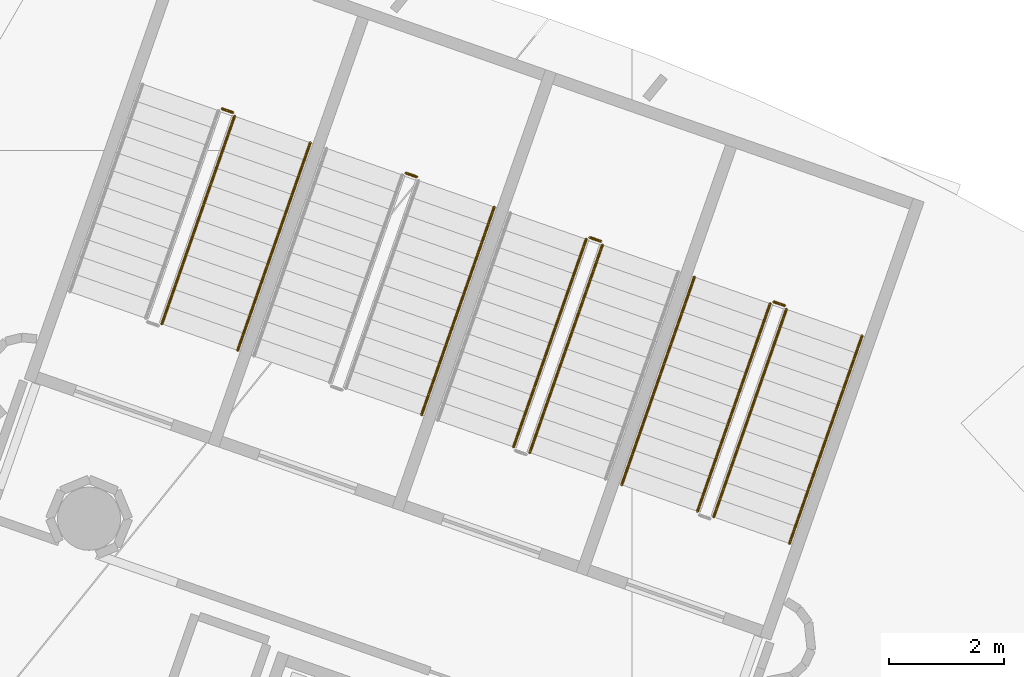
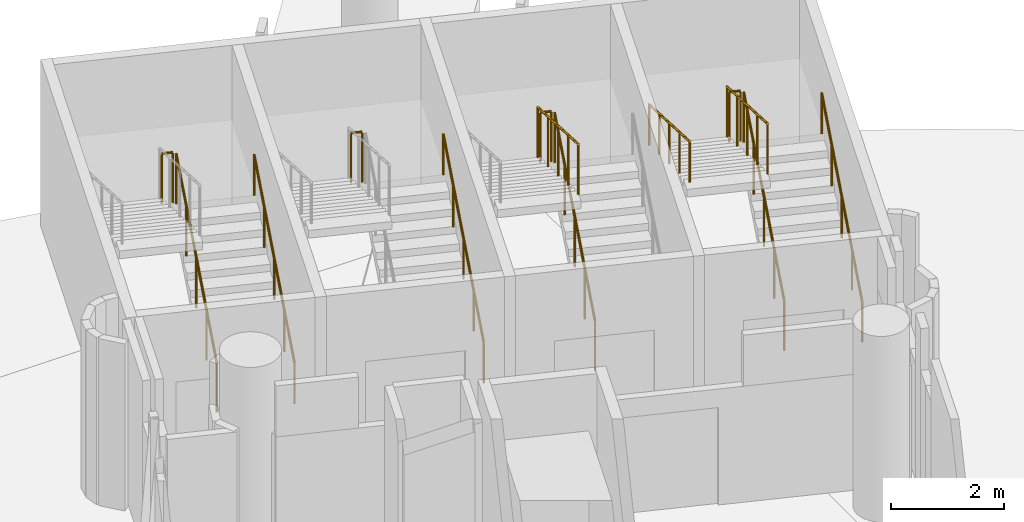
# One storey, part 141 of 142: 13 railings.
"""IFC4 building model written with IfcOpenShell, lengths in metres."""

from ifc_helpers import new_model, si_unit, direction, frame, origin, origin_2d, place, context, subcontext, project, spatial, circle, extrude, material, type_object, element, save


model = new_model("IFC4")

# Units and contexts
model_context = context("Model", 3, precision=1e-05, world=origin(), true_north=direction((0.0, 1.0)))
body_context = subcontext(model_context, "Body", "Model", "MODEL_VIEW")
ifc_project = project(units=[si_unit("LENGTHUNIT", "METRE"), si_unit("AREAUNIT", "SQUARE_METRE"), si_unit("VOLUMEUNIT", "CUBIC_METRE"), si_unit("PLANEANGLEUNIT", "RADIAN"), si_unit("MASSUNIT", "GRAM", prefix="KILO")], contexts=[model_context])

# Site, building, storey
site_placement = place(None, origin())
site = spatial("IfcSite", under=ifc_project, at=site_placement, CompositionType="ELEMENT")
building_placement = place(site_placement, origin())
building = spatial("IfcBuilding", under=site, at=building_placement, Name="Meseta Stadium", CompositionType="ELEMENT")
storey_placement = place(building_placement, frame((0.0, 0.0, -4.0)))
storey = spatial("IfcBuildingStorey", under=building, at=storey_placement, Name="B1", CompositionType="ELEMENT", Elevation=-4.0)

# Railings
ifc_material_1 = material(Name="Steel S355", Category="steel")
railing_type_1 = type_object("IfcRailingType", Name="Stair guard 1100", PredefinedType="GUARDRAIL", material=ifc_material_1)
railing_1_placement = place(storey_placement, frame((65.421630859375, 89.608154296875, 0.15380859375)))
element("IfcRailing", 1, at=railing_1_placement, inside=storey, type_object=railing_type_1, Name="ST29 B1 guard 1", PredefinedType="GUARDRAIL", context=body_context, shape_type="SweptSolid", body=[
    extrude(circle(Radius=0.02392578125, at=origin_2d()), frame((0.0, 0.0, 1.076171875), z_axis=(0.29767201574, 0.85067155836, 0.433300439467), x_axis=(-0.9438801606, 0.330288120323, 0.0)), (0.0, 0.0, 1.0), 4.2607421875),
    extrude(circle(Radius=0.02099609375, at=origin_2d()), origin(), (0.0, 0.0, 1.0), 1.052001953125),
    extrude(circle(Radius=0.02099609375, at=origin_2d()), frame((0.317138671875, 0.90625, 0.46142578125)), (0.0, 0.0, 1.0), 1.052001953125),
    extrude(circle(Radius=0.02099609375, at=origin_2d()), frame((0.63427734375, 1.812255859375, 0.923095703125)), (0.0, 0.0, 1.0), 1.052001953125),
    extrude(circle(Radius=0.02099609375, at=origin_2d()), frame((0.951171875, 2.71826171875, 1.384765625)), (0.0, 0.0, 1.0), 1.052001953125),
    extrude(circle(Radius=0.02099609375, at=origin_2d()), frame((1.268310546875, 3.62451171875, 1.84619140625)), (0.0, 0.0, 1.0), 1.052001953125),
])
railing_2_placement = place(storey_placement, frame((66.6591796875, 93.29638671875, 2.0)))
element("IfcRailing", 2, at=railing_2_placement, inside=storey, type_object=railing_type_1, Name="ST29 B1 guard 2", PredefinedType="GUARDRAIL", context=body_context, shape_type="SweptSolid", body=[
    extrude(circle(Radius=0.02392578125, at=origin_2d()), frame((0.0, 0.0, 1.076171875), z_axis=(-0.944067610699, 0.329751946816, 0.0), x_axis=(-0.329751946816, -0.944067610699, 0.0)), (0.0, 0.0, 1.0), 0.199951171875),
    extrude(circle(Radius=0.02099609375, at=origin_2d()), origin(), (0.0, 0.0, 1.0), 1.052001953125),
    extrude(circle(Radius=0.02099609375, at=origin_2d()), frame((-0.188720703125, 0.06591796875, 0.0)), (0.0, 0.0, 1.0), 1.052001953125),
])
railing_3_placement = place(storey_placement, frame((66.40673828125, 93.331787109375, 2.15380859375)))
element("IfcRailing", 3, at=railing_3_placement, inside=storey, type_object=railing_type_1, Name="ST29 B1 guard 3", PredefinedType="GUARDRAIL", context=body_context, shape_type="SweptSolid", body=[
    extrude(circle(Radius=0.02392578125, at=origin_2d()), frame((0.0, 0.0, 1.076171875), z_axis=(-0.29767201574, -0.85067155836, 0.433300439467), x_axis=(0.9438801606, -0.330288120323, 0.0)), (0.0, 0.0, 1.0), 4.2607421875),
    extrude(circle(Radius=0.02099609375, at=origin_2d()), origin(), (0.0, 0.0, 1.0), 1.052001953125),
    extrude(circle(Radius=0.02099609375, at=origin_2d()), frame((-0.317138671875, -0.90625, 0.46142578125)), (0.0, 0.0, 1.0), 1.052001953125),
    extrude(circle(Radius=0.02099609375, at=origin_2d()), frame((-0.63427734375, -1.812255859375, 0.923095703125)), (0.0, 0.0, 1.0), 1.052001953125),
    extrude(circle(Radius=0.02099609375, at=origin_2d()), frame((-0.951171875, -2.71826171875, 1.384765625)), (0.0, 0.0, 1.0), 1.052001953125),
    extrude(circle(Radius=0.02099609375, at=origin_2d()), frame((-1.268310546875, -3.62451171875, 1.84619140625)), (0.0, 0.0, 1.0), 1.052001953125),
])
railing_4_placement = place(storey_placement, frame((62.21240234375, 90.73095703125, 0.15380859375)))
element("IfcRailing", 4, at=railing_4_placement, inside=storey, type_object=railing_type_1, Name="ST30 B1 guard 1", PredefinedType="GUARDRAIL", context=body_context, shape_type="SweptSolid", body=[
    extrude(circle(Radius=0.02392578125, at=origin_2d()), frame((0.0, 0.0, 1.076171875), z_axis=(0.29767201574, 0.85067155836, 0.433300439467), x_axis=(-0.9438801606, 0.330288120323, 0.0)), (0.0, 0.0, 1.0), 4.2607421875),
    extrude(circle(Radius=0.02099609375, at=origin_2d()), origin(), (0.0, 0.0, 1.0), 1.052001953125),
    extrude(circle(Radius=0.02099609375, at=origin_2d()), frame((0.317138671875, 0.90625, 0.46142578125)), (0.0, 0.0, 1.0), 1.052001953125),
    extrude(circle(Radius=0.02099609375, at=origin_2d()), frame((0.63427734375, 1.812255859375, 0.923095703125)), (0.0, 0.0, 1.0), 1.052001953125),
    extrude(circle(Radius=0.02099609375, at=origin_2d()), frame((0.951171875, 2.71826171875, 1.384765625)), (0.0, 0.0, 1.0), 1.052001953125),
    extrude(circle(Radius=0.02099609375, at=origin_2d()), frame((1.268310546875, 3.62451171875, 1.84619140625)), (0.0, 0.0, 1.0), 1.052001953125),
])
railing_5_placement = place(storey_placement, frame((63.449951171875, 94.419189453125, 2.0)))
element("IfcRailing", 5, at=railing_5_placement, inside=storey, type_object=railing_type_1, Name="ST30 B1 guard 2", PredefinedType="GUARDRAIL", context=body_context, shape_type="SweptSolid", body=[
    extrude(circle(Radius=0.02392578125, at=origin_2d()), frame((0.0, 0.0, 1.076171875), z_axis=(-0.943686935281, 0.330839792317, 0.0), x_axis=(-0.330839792317, -0.943686935281, 0.0)), (0.0, 0.0, 1.0), 0.199951171875),
    extrude(circle(Radius=0.02099609375, at=origin_2d()), origin(), (0.0, 0.0, 1.0), 1.052001953125),
    extrude(circle(Radius=0.02099609375, at=origin_2d()), frame((-0.188720703125, 0.066162109375, 0.0)), (0.0, 0.0, 1.0), 1.052001953125),
])
railing_6_placement = place(storey_placement, frame((63.197509765625, 94.45458984375, 2.15380859375)))
element("IfcRailing", 6, at=railing_6_placement, inside=storey, type_object=railing_type_1, Name="ST30 B1 guard 3", PredefinedType="GUARDRAIL", context=body_context, shape_type="SweptSolid", body=[
    extrude(circle(Radius=0.02392578125, at=origin_2d()), frame((0.0, 0.0, 1.076171875), z_axis=(-0.29767201574, -0.85067155836, 0.433300439467), x_axis=(0.9438801606, -0.330288120323, 0.0)), (0.0, 0.0, 1.0), 4.2607421875),
    extrude(circle(Radius=0.02099609375, at=origin_2d()), origin(), (0.0, 0.0, 1.0), 1.052001953125),
    extrude(circle(Radius=0.02099609375, at=origin_2d()), frame((-0.317138671875, -0.90625, 0.46142578125)), (0.0, 0.0, 1.0), 1.052001953125),
    extrude(circle(Radius=0.02099609375, at=origin_2d()), frame((-0.63427734375, -1.812255859375, 0.923095703125)), (0.0, 0.0, 1.0), 1.052001953125),
    extrude(circle(Radius=0.02099609375, at=origin_2d()), frame((-0.951171875, -2.71826171875, 1.384765625)), (0.0, 0.0, 1.0), 1.052001953125),
    extrude(circle(Radius=0.02099609375, at=origin_2d()), frame((-1.268310546875, -3.62451171875, 1.84619140625)), (0.0, 0.0, 1.0), 1.052001953125),
])
railing_7_placement = place(storey_placement, frame((60.24072265625, 95.542236328125, 2.0)))
element("IfcRailing", 7, at=railing_7_placement, inside=storey, type_object=railing_type_1, Name="ST31 B1 guard 2", PredefinedType="GUARDRAIL", context=body_context, shape_type="SweptSolid", body=[
    extrude(circle(Radius=0.02392578125, at=origin_2d()), frame((0.0, 0.0, 1.076171875), z_axis=(-0.943686935281, 0.330839792317, 0.0), x_axis=(-0.330839792317, -0.943686935281, 0.0)), (0.0, 0.0, 1.0), 0.199951171875),
    extrude(circle(Radius=0.02099609375, at=origin_2d()), origin(), (0.0, 0.0, 1.0), 1.052001953125),
    extrude(circle(Radius=0.02099609375, at=origin_2d()), frame((-0.188720703125, 0.066162109375, 0.0)), (0.0, 0.0, 1.0), 1.052001953125),
])
railing_8_placement = place(storey_placement, frame((55.7939453125, 92.97705078125, 0.15380859375)))
element("IfcRailing", 8, at=railing_8_placement, inside=storey, type_object=railing_type_1, Name="ST32 B1 guard 1", PredefinedType="GUARDRAIL", context=body_context, shape_type="SweptSolid", body=[
    extrude(circle(Radius=0.02392578125, at=origin_2d()), frame((0.0, 0.0, 1.076171875), z_axis=(0.29767201574, 0.85067155836, 0.433300439467), x_axis=(-0.9438801606, 0.330288120323, 0.0)), (0.0, 0.0, 1.0), 4.2607421875),
    extrude(circle(Radius=0.02099609375, at=origin_2d()), origin(), (0.0, 0.0, 1.0), 1.052001953125),
    extrude(circle(Radius=0.02099609375, at=origin_2d()), frame((0.317138671875, 0.90625, 0.46142578125)), (0.0, 0.0, 1.0), 1.052001953125),
    extrude(circle(Radius=0.02099609375, at=origin_2d()), frame((0.63427734375, 1.812255859375, 0.923095703125)), (0.0, 0.0, 1.0), 1.052001953125),
    extrude(circle(Radius=0.02099609375, at=origin_2d()), frame((0.951171875, 2.71826171875, 1.384765625)), (0.0, 0.0, 1.0), 1.052001953125),
    extrude(circle(Radius=0.02099609375, at=origin_2d()), frame((1.268310546875, 3.62451171875, 1.84619140625)), (0.0, 0.0, 1.0), 1.052001953125),
])
railing_9_placement = place(storey_placement, frame((57.031494140625, 96.665283203125, 2.0)))
element("IfcRailing", 9, at=railing_9_placement, inside=storey, type_object=railing_type_1, Name="ST32 B1 guard 2", PredefinedType="GUARDRAIL", context=body_context, shape_type="SweptSolid", body=[
    extrude(circle(Radius=0.02392578125, at=origin_2d()), frame((0.0, 0.0, 1.076171875), z_axis=(-0.944067610699, 0.329751946816, 0.0), x_axis=(-0.329751946816, -0.944067610699, 0.0)), (0.0, 0.0, 1.0), 0.199951171875),
    extrude(circle(Radius=0.02099609375, at=origin_2d()), origin(), (0.0, 0.0, 1.0), 1.052001953125),
    extrude(circle(Radius=0.02099609375, at=origin_2d()), frame((-0.188720703125, 0.06591796875, 0.0)), (0.0, 0.0, 1.0), 1.052001953125),
])
ifc_material_2 = material(Name="Steel S355", Category="steel")
railing_type_2 = type_object("IfcRailingType", Name="Stair handrail 900", PredefinedType="HANDRAIL", material=ifc_material_2)
railing_10_placement = place(storey_placement, frame((66.7431640625, 89.145751953125, 0.15380859375)))
element("IfcRailing", 10, at=railing_10_placement, inside=storey, type_object=railing_type_2, Name="ST29 B1 handrail 1", PredefinedType="HANDRAIL", context=body_context, shape_type="SweptSolid", body=[
    extrude(circle(Radius=0.02392578125, at=origin_2d()), frame((0.0, 0.0, 0.8759765625), z_axis=(0.297619791939, 0.850686066833, 0.433307829543), x_axis=(-0.943899979935, 0.330231476208, 0.0)), (0.0, 0.0, 1.0), 4.2607421875),
    extrude(circle(Radius=0.02099609375, at=origin_2d()), origin(), (0.0, 0.0, 1.0), 0.851806640625),
    extrude(circle(Radius=0.02099609375, at=origin_2d()), frame((0.31689453125, 0.90625, 0.46142578125)), (0.0, 0.0, 1.0), 0.851806640625),
    extrude(circle(Radius=0.02099609375, at=origin_2d()), frame((0.634033203125, 1.812255859375, 0.923095703125)), (0.0, 0.0, 1.0), 0.851806640625),
    extrude(circle(Radius=0.02099609375, at=origin_2d()), frame((0.951171875, 2.71826171875, 1.384765625)), (0.0, 0.0, 1.0), 0.851806640625),
    extrude(circle(Radius=0.02099609375, at=origin_2d()), frame((1.26806640625, 3.62451171875, 1.84619140625)), (0.0, 0.0, 1.0), 0.851806640625),
])
railing_11_placement = place(storey_placement, frame((65.085205078125, 93.794189453125, 2.15380859375)))
element("IfcRailing", 11, at=railing_11_placement, inside=storey, type_object=railing_type_2, Name="ST29 B1 handrail 2", PredefinedType="HANDRAIL", context=body_context, shape_type="SweptSolid", body=[
    extrude(circle(Radius=0.02392578125, at=origin_2d()), frame((0.0, 0.0, 0.8759765625), z_axis=(-0.29767201574, -0.85067155836, 0.433300439467), x_axis=(0.9438801606, -0.330288120323, 0.0)), (0.0, 0.0, 1.0), 4.2607421875),
    extrude(circle(Radius=0.02099609375, at=origin_2d()), origin(), (0.0, 0.0, 1.0), 0.851806640625),
    extrude(circle(Radius=0.02099609375, at=origin_2d()), frame((-0.317138671875, -0.90625, 0.46142578125)), (0.0, 0.0, 1.0), 0.851806640625),
    extrude(circle(Radius=0.02099609375, at=origin_2d()), frame((-0.63427734375, -1.812255859375, 0.923095703125)), (0.0, 0.0, 1.0), 0.851806640625),
    extrude(circle(Radius=0.02099609375, at=origin_2d()), frame((-0.951171875, -2.71826171875, 1.384765625)), (0.0, 0.0, 1.0), 0.851806640625),
    extrude(circle(Radius=0.02099609375, at=origin_2d()), frame((-1.268310546875, -3.62451171875, 1.84619140625)), (0.0, 0.0, 1.0), 0.851806640625),
])
for number, where, name in (
    (12, (60.32470703125, 91.3916015625, 0.15380859375), "ST31 B1 handrail 1"),
    (13, (57.115478515625, 92.5146484375, 0.15380859375), "ST32 B1 handrail 1"),
):
    element("IfcRailing", number, at=place(storey_placement, frame(where)), inside=storey, type_object=railing_type_2, Name=name, PredefinedType="HANDRAIL", context=body_context, shape_type="SweptSolid", body=[
        extrude(circle(Radius=0.02392578125, at=origin_2d()), frame((0.0, 0.0, 0.8759765625), z_axis=(0.29767201574, 0.85067155836, 0.433300439467), x_axis=(-0.9438801606, 0.330288120323, 0.0)), (0.0, 0.0, 1.0), 4.2607421875),
        extrude(circle(Radius=0.02099609375, at=origin_2d()), origin(), (0.0, 0.0, 1.0), 0.851806640625),
        extrude(circle(Radius=0.02099609375, at=origin_2d()), frame((0.317138671875, 0.90625, 0.46142578125)), (0.0, 0.0, 1.0), 0.851806640625),
        extrude(circle(Radius=0.02099609375, at=origin_2d()), frame((0.63427734375, 1.812255859375, 0.923095703125)), (0.0, 0.0, 1.0), 0.851806640625),
        extrude(circle(Radius=0.02099609375, at=origin_2d()), frame((0.951171875, 2.71826171875, 1.384765625)), (0.0, 0.0, 1.0), 0.851806640625),
        extrude(circle(Radius=0.02099609375, at=origin_2d()), frame((1.268310546875, 3.62451171875, 1.84619140625)), (0.0, 0.0, 1.0), 0.851806640625),
    ])

save(model, "model.ifc")
